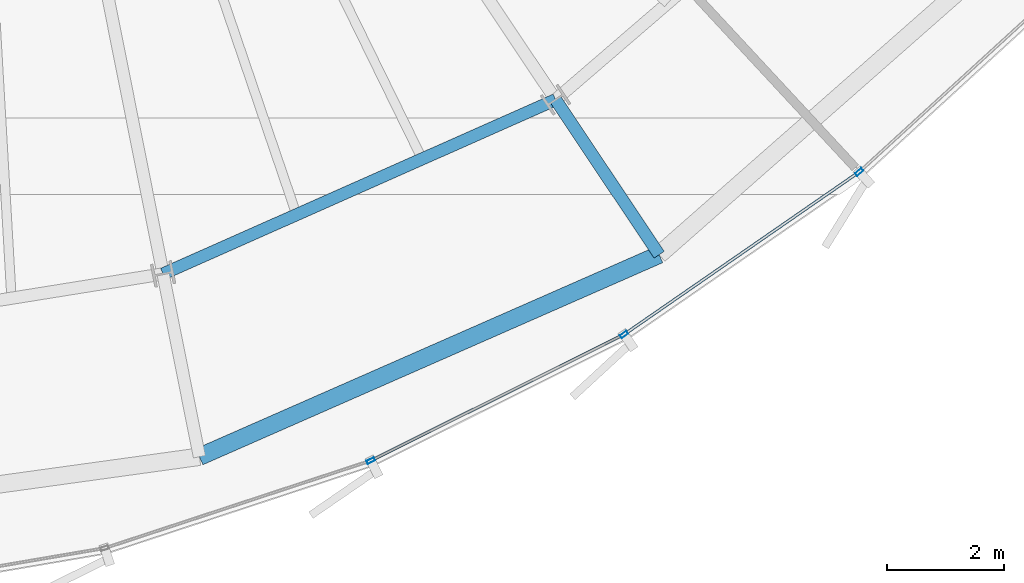
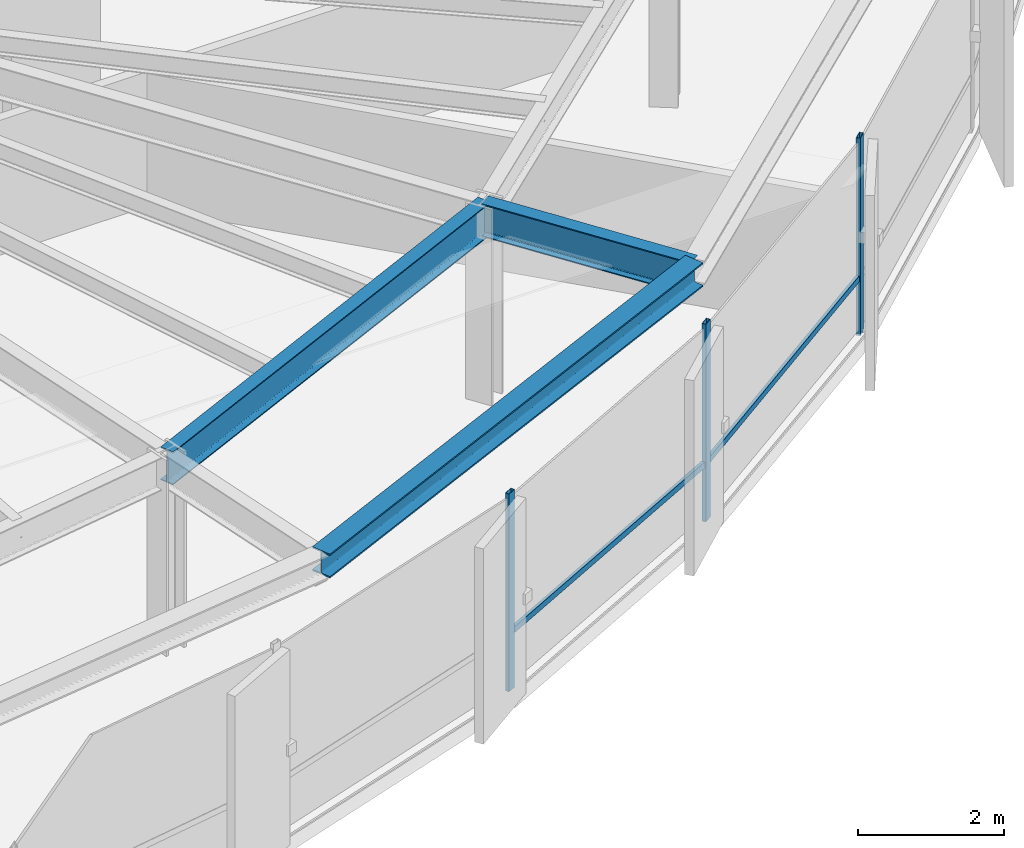
# One storey, part 12 of 32: 5 members, 3 beams, 1 element without a shape of its own.
"""IFC4 building model written with IfcOpenShell, lengths in metres."""

from ifc_helpers import new_model, si_unit, direction, frame, origin, origin_2d, place, context, subcontext, project, spatial, hollow_rectangle, i_section, extrude, source, transform, mapped, material, layer, layer_set, material_profile, profile_set, type_object, element, aggregate, save


model = new_model("IFC4")

# Units and contexts
model_context = context("Model", 3, precision=1e-05, world=origin(), true_north=direction((0.0, 1.0)))
body_context = subcontext(model_context, "Body", "Model", "MODEL_VIEW")
ifc_project = project(units=[si_unit("LENGTHUNIT", "METRE"), si_unit("AREAUNIT", "SQUARE_METRE"), si_unit("VOLUMEUNIT", "CUBIC_METRE"), si_unit("PLANEANGLEUNIT", "RADIAN"), si_unit("MASSUNIT", "GRAM", prefix="KILO"), si_unit("THERMODYNAMICTEMPERATUREUNIT", "KELVIN")], contexts=[model_context])

# Site, building, storey
site_placement = place(None, origin())
site = spatial("IfcSite", under=ifc_project, at=site_placement, CompositionType="ELEMENT")
building_placement = place(site_placement, origin())
building = spatial("IfcBuilding", under=site, at=building_placement, Name="Kethvar Cultural Tower", CompositionType="ELEMENT")
storey_placement = place(building_placement, frame((0.0, 0.0, 157.199951171875)))
storey = spatial("IfcBuildingStorey", under=building, at=storey_placement, Name="L40", CompositionType="ELEMENT", Elevation=157.199951171875)

# Beams
ifc_material_1 = material(Name="Steel S355J2", Category="steel")
ifc_material_profile_1 = material_profile(ifc_material_1, i_section(OverallWidth=0.2099609375, OverallDepth=0.550048828125, WebThickness=0.010986328125, FlangeThickness=0.01708984375, FilletRadius=0.02392578125, at=origin_2d()), Name="Steel S355J2 — IPE550")
ifc_profile_set_1 = profile_set([ifc_material_profile_1], Name="Steel S355J2 — IPE550")
beam_type_1 = type_object("IfcBeamType", Name="BM-IPE550", PredefinedType="BEAM", material=ifc_profile_set_1)
shared_shape_1 = source(origin(), body_context, "Body", "SweptSolid", [
    extrude(i_section(OverallWidth=0.2099609375, OverallDepth=0.550048828125, WebThickness=0.010986328125, FlangeThickness=0.01708984375, FilletRadius=0.02392578125, at=origin_2d()), origin(), (0.0, 0.0, 1.0), 3.199951171875),
])
beam_1_placement = place(storey_placement, frame((57.241943359375, 12.17236328125, 3.02294921875), z_axis=(0.555580212716, -0.831462943996, 0.0), x_axis=(0.831462943996, 0.555580212716, 0.0)))
element("IfcBeam", 1, at=beam_1_placement, inside=storey, type_object=beam_type_1, Name="L40 Perimeter Cantilever Beam RC-14", PredefinedType="BEAM", context=body_context, shape_type="MappedRepresentation", body=[
    mapped(shared_shape_1, transform((0.0, 0.0, 0.0), scale=1.0)),
])
shared_shape_2 = source(origin(), body_context, "Body", "SweptSolid", [
    extrude(i_section(OverallWidth=0.2099609375, OverallDepth=0.550048828125, WebThickness=0.010986328125, FlangeThickness=0.01708984375, FilletRadius=0.02392578125, at=origin_2d()), origin(), (0.0, 0.0, 1.0), 7.3720703125),
])
beam_2_placement = place(storey_placement, frame((50.50341796875, 9.182373046875, 3.02294921875), z_axis=(0.914058560918, 0.405582232367, 0.0), x_axis=(-0.405582232367, 0.914058560918, 0.0)))
element("IfcBeam", 2, at=beam_2_placement, inside=storey, type_object=beam_type_1, Name="L40 Column Ring Tie Beam CR-13", PredefinedType="BEAM", context=body_context, shape_type="MappedRepresentation", body=[
    mapped(shared_shape_2, transform((0.0, 0.0, 0.0), scale=1.0)),
])
ifc_material_profile_2 = material_profile(ifc_material_1, i_section(OverallWidth=0.300048828125, OverallDepth=0.39990234375, WebThickness=0.013427734375, FlangeThickness=0.02392578125, FilletRadius=0.027099609375, at=origin_2d()), Name="Steel S355J2 — HEB400")
ifc_profile_set_2 = profile_set([ifc_material_profile_2], Name="Steel S355J2 — HEB400")
beam_type_2 = type_object("IfcBeamType", Name="BM-SP400", PredefinedType="SPANDREL", material=ifc_profile_set_2)
shared_shape_3 = source(origin(), body_context, "Body", "SweptSolid", [
    extrude(i_section(OverallWidth=0.300048828125, OverallDepth=0.39990234375, WebThickness=0.013427734375, FlangeThickness=0.02392578125, FilletRadius=0.027099609375, at=origin_2d()), origin(), (0.0, 0.0, 1.0), 8.620361328125),
])
beam_3_placement = place(storey_placement, frame((51.127685546875, 6.043701171875, 3.09814453125), z_axis=(0.915507442902, 0.402301034041, 0.0), x_axis=(-0.402301034041, 0.915507442902, 0.0)))
element("IfcBeam", 3, at=beam_3_placement, inside=storey, type_object=beam_type_2, Name="L40 Perimeter Spandrel Beam SP-13", PredefinedType="SPANDREL", context=body_context, shape_type="MappedRepresentation", body=[
    mapped(shared_shape_3, transform((0.0, 0.0, 0.0), scale=1.0)),
])

# Curtain wall, members
ifc_material_2 = material(Name="Aluminium 6063-T6", Category="aluminium")
ifc_layer = layer(ifc_material_2, 0.179931640625, Name="Aluminium 6063-T6", Category="aluminium")
ifc_layer_set = layer_set([ifc_layer], Name="Aluminium 6063-T6 (180 mm)")
curtain_wall_type = type_object("IfcCurtainWallType", Name="CW-SYS-04-Z34", PredefinedType="NOTDEFINED", material=ifc_layer_set)
curtain_wall_placement = place(storey_placement, origin())
curtain_wall = element("IfcCurtainWall", 4, at=curtain_wall_placement, inside=storey, type_object=curtain_wall_type, Name="L40 Curtain Wall Run 05", PredefinedType="NOTDEFINED")
ifc_material_profile_3 = material_profile(ifc_material_2, hollow_rectangle(XDim=0.06005859375, YDim=0.139892578125, WallThickness=0.0048828125, at=origin_2d()), Name="Aluminium 6063-T6 — RHS140x60x5")
ifc_profile_set_3 = profile_set([ifc_material_profile_3], Name="Aluminium 6063-T6 — RHS140x60x5")
member_type_1 = type_object("IfcMemberType", Name="CW-SYS-04-Z34-MUL", PredefinedType="MULLION", material=ifc_profile_set_3)
shared_shape_4 = source(origin(), body_context, "Body", "SweptSolid", [
    extrude(hollow_rectangle(XDim=0.06005859375, YDim=0.139892578125, WallThickness=0.0048828125, at=origin_2d()), origin(), (0.0, 0.0, 1.0), 3.300048828125),
])
member_1_placement = place(storey_placement, frame((54.069580078125, 5.9755859375, 0.0), z_axis=(0.0, 0.0, 1.0), x_axis=(-0.446150953845, 0.894957723238, 0.0)))
member_1 = element("IfcMember", 5, at=member_1_placement, type_object=member_type_1, Name="CW-L40-R05 Mullion 3", PredefinedType="MULLION", context=body_context, shape_type="MappedRepresentation", body=[
    mapped(shared_shape_4, transform((0.0, 0.0, 0.0), scale=1.0)),
])
member_2_placement = place(storey_placement, frame((58.4169921875, 8.1416015625, 0.0), z_axis=(0.0, 0.0, 1.0), x_axis=(-0.56870541993, 0.822541272729, 0.0)))
member_2 = element("IfcMember", 6, at=member_2_placement, type_object=member_type_1, Name="CW-L40-R05 Mullion 4", PredefinedType="MULLION", context=body_context, shape_type="MappedRepresentation", body=[
    mapped(shared_shape_4, transform((0.0, 0.0, 0.0), scale=1.0)),
])
member_3_placement = place(storey_placement, frame((62.454345703125, 10.931884765625, 0.0), z_axis=(0.0, 0.0, 1.0), x_axis=(-0.674882161021, 0.737925517065, 0.0)))
member_3 = element("IfcMember", 7, at=member_3_placement, type_object=member_type_1, Name="CW-L40-R05 Mullion 5", PredefinedType="MULLION", context=body_context, shape_type="MappedRepresentation", body=[
    mapped(shared_shape_4, transform((0.0, 0.0, 0.0), scale=1.0)),
])
ifc_material_profile_4 = material_profile(ifc_material_2, hollow_rectangle(XDim=0.050048828125, YDim=0.10009765625, WallThickness=0.00390625, at=origin_2d()), Name="Aluminium 6063-T6 — RHS100x50x4")
ifc_profile_set_4 = profile_set([ifc_material_profile_4], Name="Aluminium 6063-T6 — RHS100x50x4")
member_type_2 = type_object("IfcMemberType", Name="CW-SYS-04-Z34-TRN", PredefinedType="USERDEFINED", material=ifc_profile_set_4)
shared_shape_5 = source(origin(), body_context, "Body", "SweptSolid", [
    extrude(hollow_rectangle(XDim=0.050048828125, YDim=0.10009765625, WallThickness=0.00390625, at=origin_2d()), origin(), (0.0, 0.0, 1.0), 4.7861328125),
])
member_4_placement = place(storey_placement, frame((54.1083984375, 5.994873046875, 0.949951171875), z_axis=(0.894967241322, 0.446131860508, 0.0), x_axis=(-0.446131860508, 0.894967241322, 0.0)))
member_4 = element("IfcMember", 8, at=member_4_placement, type_object=member_type_2, Name="CW-L40-R05 Transom 3", ObjectType="TRANSOM", PredefinedType="USERDEFINED", context=body_context, shape_type="MappedRepresentation", body=[
    mapped(shared_shape_5, transform((0.0, 0.0, 0.0), scale=1.0)),
])
shared_shape_6 = source(origin(), body_context, "Body", "SweptSolid", [
    extrude(hollow_rectangle(XDim=0.050048828125, YDim=0.10009765625, WallThickness=0.00390625, at=origin_2d()), origin(), (0.0, 0.0, 1.0), 4.83642578125),
])
member_5_placement = place(storey_placement, frame((58.452392578125, 8.166015625, 0.949951171875), z_axis=(0.822533697403, 0.56871637627, 0.0), x_axis=(-0.56871637627, 0.822533697403, 0.0)))
member_5 = element("IfcMember", 9, at=member_5_placement, type_object=member_type_2, Name="CW-L40-R05 Transom 4", ObjectType="TRANSOM", PredefinedType="USERDEFINED", context=body_context, shape_type="MappedRepresentation", body=[
    mapped(shared_shape_6, transform((0.0, 0.0, 0.0), scale=1.0)),
])
aggregate(curtain_wall, [member_1, member_2, member_3, member_4, member_5])

save(model, "model.ifc")
